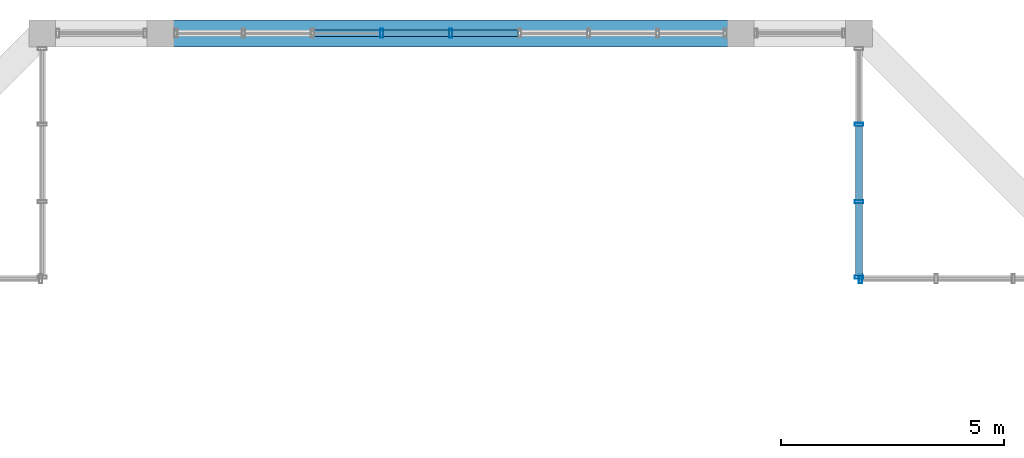
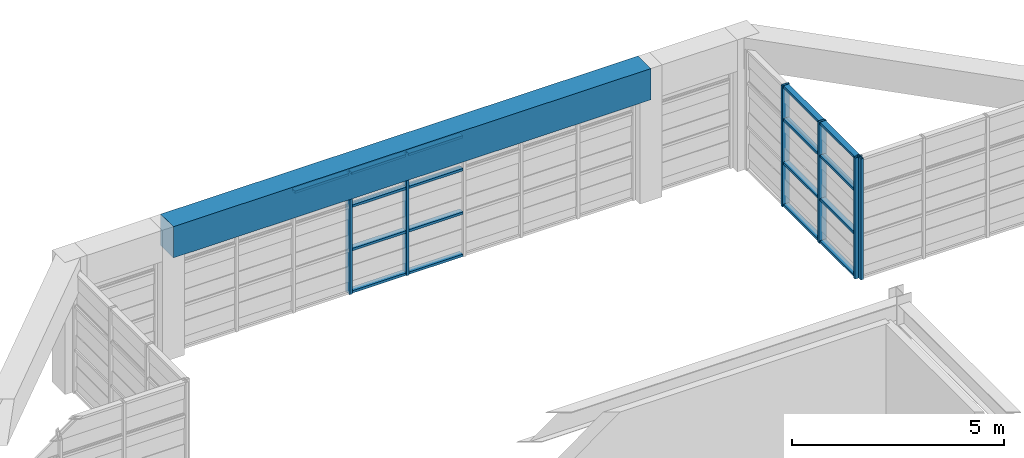
# One storey, part 18 of 27: 23 members, 1 beam, 3 elements without a shape of their own.
"""IFC4 building model written with IfcOpenShell, lengths in metres."""

from ifc_helpers import new_model, si_unit, direction, frame, origin, origin_2d, place, context, subcontext, project, spatial, rectangle, hollow_rectangle, extrude, source, transform, mapped, material, layer, layer_set, material_profile, profile_set, type_object, element, aggregate, save


model = new_model("IFC4")

# Units and contexts
model_context = context("Model", 3, precision=1e-05, world=origin(), true_north=direction((0.0, 1.0)))
body_context = subcontext(model_context, "Body", "Model", "MODEL_VIEW")
ifc_project = project(units=[si_unit("LENGTHUNIT", "METRE"), si_unit("AREAUNIT", "SQUARE_METRE"), si_unit("VOLUMEUNIT", "CUBIC_METRE"), si_unit("PLANEANGLEUNIT", "RADIAN"), si_unit("MASSUNIT", "GRAM", prefix="KILO")], contexts=[model_context])

# Site, building, storey
site_placement = place(None, origin())
site = spatial("IfcSite", under=ifc_project, at=site_placement, CompositionType="ELEMENT")
building_placement = place(site_placement, origin())
building = spatial("IfcBuilding", under=site, at=building_placement, Name="Saelheon Loggia Tower", CompositionType="ELEMENT")
storey_placement = place(building_placement, frame((0.0, 0.0, 263.60009765625)))
storey = spatial("IfcBuildingStorey", under=building, at=storey_placement, Name="CR4", CompositionType="ELEMENT", Elevation=263.60009765625)

# Beam
ifc_material_1 = material(Name="Precast Concrete C45/55", Category="concrete")
ifc_material_profile_1 = material_profile(ifc_material_1, rectangle(XDim=0.60009765625, YDim=0.89990234375, at=origin_2d()), Name="RC-600x900")
ifc_profile_set_1 = profile_set([ifc_material_profile_1], Name="Precast Concrete C45/55")
beam_type = type_object("IfcBeamType", Name="CrownFrame_Ring_RC600x900", PredefinedType="BEAM", material=ifc_profile_set_1)
shared_shape_1 = source(origin(), body_context, "Body", "SweptSolid", [
    extrude(rectangle(XDim=0.60009765625, YDim=0.89990234375, at=origin_2d()), origin(), (0.0, 0.0, 1.0), 13.0),
])
beam_placement = place(storey_placement, frame((44.5, 47.64990234375, 3.349853515625), z_axis=(-1.0, 0.0, 0.0), x_axis=(0.0, -1.0, 0.0)))
element("IfcBeam", 1, at=beam_placement, inside=storey, type_object=beam_type, Name="CR4 CROWN FRAME Ring Beam 10", PredefinedType="BEAM", context=body_context, shape_type="MappedRepresentation", body=[
    mapped(shared_shape_1, transform((0.0, 0.0, 0.0), scale=1.0)),
])

# Curtain wall, member
ifc_material_2 = material(Name="Bronze-Anodised Aluminium and Fritted Ceramic Screen", Category="aluminium")
ifc_layer = layer(ifc_material_2, 0.219970703125)
ifc_layer_set = layer_set([ifc_layer], Name="Bronze-Anodised Aluminium and Fritted Ceramic Screen")
curtain_wall_type = type_object("IfcCurtainWallType", Name="CW_CrownScreen", PredefinedType="NOTDEFINED", material=ifc_layer_set)
curtain_wall_1_placement = place(storey_placement, origin())
curtain_wall_1 = element("IfcCurtainWall", 2, at=curtain_wall_1_placement, inside=storey, type_object=curtain_wall_type, Name="CR4 Crown Screen Curtain Wall 4-1", PredefinedType="NOTDEFINED")
ifc_material_3 = material(Name="Bronze-Anodised Aluminium 6063-T6", Category="aluminium")
ifc_material_profile_2 = material_profile(ifc_material_3, hollow_rectangle(XDim=0.070068359375, YDim=0.199951171875, WallThickness=0.0048828125, at=origin_2d()), Name="RHS-200x70x5")
ifc_profile_set_2 = profile_set([ifc_material_profile_2], Name="Bronze-Anodised Aluminium 6063-T6")
member_type_1 = type_object("IfcMemberType", Name="CW_CrownScreen_Mullion", PredefinedType="MULLION", material=ifc_profile_set_2)
shared_shape_2 = source(origin(), body_context, "Body", "SweptSolid", [
    extrude(hollow_rectangle(XDim=0.070068359375, YDim=0.199951171875, WallThickness=0.0048828125, at=origin_2d()), origin(), (0.0, 0.0, 1.0), 3.47998046875),
])
member_1_placement = place(storey_placement, frame((47.18505859375, 42.14990234375, 0.0), z_axis=(0.0, 0.0, 1.0), x_axis=(-1.0, 0.0, 0.0)))
member_1 = element("IfcMember", 3, at=member_1_placement, type_object=member_type_1, Name="CW6 mullion 4", PredefinedType="MULLION", context=body_context, shape_type="MappedRepresentation", body=[
    mapped(shared_shape_2, transform((0.0, 0.0, 0.0), scale=1.0)),
])
aggregate(curtain_wall_1, [member_1])

# Curtain wall, members
curtain_wall_2_placement = place(storey_placement, origin())
curtain_wall_2 = element("IfcCurtainWall", 4, at=curtain_wall_2_placement, inside=storey, type_object=curtain_wall_type, Name="CR4 Crown Screen Curtain Wall 5-1", PredefinedType="NOTDEFINED")
member_2_placement = place(storey_placement, frame((47.14990234375, 42.18505859375, 0.0), z_axis=(0.0, 0.0, 1.0), x_axis=(0.0, 1.0, 0.0)))
member_2 = element("IfcMember", 5, at=member_2_placement, type_object=member_type_1, Name="CW6 mullion 1", PredefinedType="MULLION", context=body_context, shape_type="MappedRepresentation", body=[
    mapped(shared_shape_2, transform((0.0, 0.0, 0.0), scale=1.0)),
])
member_3_placement = place(storey_placement, frame((47.14990234375, 43.8798828125, 0.0), z_axis=(0.0, 0.0, 1.0), x_axis=(0.0, 1.0, 0.0)))
member_3 = element("IfcMember", 6, at=member_3_placement, type_object=member_type_1, Name="CW6 mullion 2", PredefinedType="MULLION", context=body_context, shape_type="MappedRepresentation", body=[
    mapped(shared_shape_2, transform((0.0, 0.0, 0.0), scale=1.0)),
])
member_4_placement = place(storey_placement, frame((47.14990234375, 45.610107421875, 0.0), z_axis=(0.0, 0.0, 1.0), x_axis=(0.0, 1.0, 0.0)))
member_4 = element("IfcMember", 7, at=member_4_placement, type_object=member_type_1, Name="CW6 mullion 3", PredefinedType="MULLION", context=body_context, shape_type="MappedRepresentation", body=[
    mapped(shared_shape_2, transform((0.0, 0.0, 0.0), scale=1.0)),
])

curtain_wall_3_placement = place(storey_placement, origin())
curtain_wall_3 = element("IfcCurtainWall", 8, at=curtain_wall_3_placement, inside=storey, type_object=curtain_wall_type, Name="CR4 Crown Screen Curtain Wall 6-2", PredefinedType="NOTDEFINED")
member_5_placement = place(storey_placement, frame((38.0, 47.64990234375, 0.0), z_axis=(0.0, 0.0, 1.0), x_axis=(-1.0, 0.0, 0.0)))
member_5 = element("IfcMember", 9, at=member_5_placement, type_object=member_type_1, Name="CW6 mullion 5", PredefinedType="MULLION", context=body_context, shape_type="MappedRepresentation", body=[
    mapped(shared_shape_2, transform((0.0, 0.0, 0.0), scale=1.0)),
])
member_6_placement = place(storey_placement, frame((36.452392578125, 47.64990234375, 0.0), z_axis=(0.0, 0.0, 1.0), x_axis=(-1.0, 0.0, 0.0)))
member_6 = element("IfcMember", 10, at=member_6_placement, type_object=member_type_1, Name="CW6 mullion 6", PredefinedType="MULLION", context=body_context, shape_type="MappedRepresentation", body=[
    mapped(shared_shape_2, transform((0.0, 0.0, 0.0), scale=1.0)),
])
ifc_material_profile_3 = material_profile(ifc_material_3, hollow_rectangle(XDim=0.070068359375, YDim=0.14990234375, WallThickness=0.0048828125, at=origin_2d()), Name="RHS-150x70x5")
ifc_profile_set_3 = profile_set([ifc_material_profile_3], Name="Bronze-Anodised Aluminium 6063-T6")
member_type_2 = type_object("IfcMemberType", Name="CW_CrownScreen_Transom", PredefinedType="USERDEFINED", material=ifc_profile_set_3)
shared_shape_3 = source(origin(), body_context, "Body", "SweptSolid", [
    extrude(hollow_rectangle(XDim=0.070068359375, YDim=0.14990234375, WallThickness=0.0048828125, at=origin_2d()), origin(), (0.0, 0.0, 1.0), 1.4775390625),
])
member_7_placement = place(storey_placement, frame((39.512451171875, 47.64990234375, 0.034912109375), z_axis=(-1.0, 0.0, 0.0), x_axis=(0.0, 0.0, 1.0)))
member_7 = element("IfcMember", 11, at=member_7_placement, type_object=member_type_2, Name="CW6 transom 4.1", ObjectType="TRANSOM", PredefinedType="USERDEFINED", context=body_context, shape_type="MappedRepresentation", body=[
    mapped(shared_shape_3, transform((0.0, 0.0, 0.0), scale=1.0)),
])
member_8_placement = place(storey_placement, frame((39.512451171875, 47.64990234375, 1.25), z_axis=(-1.0, 0.0, 0.0), x_axis=(0.0, 0.0, 1.0)))
member_8 = element("IfcMember", 12, at=member_8_placement, type_object=member_type_2, Name="CW6 transom 4.2", ObjectType="TRANSOM", PredefinedType="USERDEFINED", context=body_context, shape_type="MappedRepresentation", body=[
    mapped(shared_shape_3, transform((0.0, 0.0, 0.0), scale=1.0)),
])
member_9_placement = place(storey_placement, frame((39.512451171875, 47.64990234375, 2.5), z_axis=(-1.0, 0.0, 0.0), x_axis=(0.0, 0.0, 1.0)))
member_9 = element("IfcMember", 13, at=member_9_placement, type_object=member_type_2, Name="CW6 transom 4.3", ObjectType="TRANSOM", PredefinedType="USERDEFINED", context=body_context, shape_type="MappedRepresentation", body=[
    mapped(shared_shape_3, transform((0.0, 0.0, 0.0), scale=1.0)),
])
member_10_placement = place(storey_placement, frame((39.512451171875, 47.64990234375, 3.44482421875), z_axis=(-1.0, 0.0, 0.0), x_axis=(0.0, 0.0, 1.0)))
member_10 = element("IfcMember", 14, at=member_10_placement, type_object=member_type_2, Name="CW6 transom 4.4", ObjectType="TRANSOM", PredefinedType="USERDEFINED", context=body_context, shape_type="MappedRepresentation", body=[
    mapped(shared_shape_3, transform((0.0, 0.0, 0.0), scale=1.0)),
])
member_11_placement = place(storey_placement, frame((37.965087890625, 47.64990234375, 0.034912109375), z_axis=(-1.0, 0.0, 0.0), x_axis=(0.0, 0.0, 1.0)))
member_11 = element("IfcMember", 15, at=member_11_placement, type_object=member_type_2, Name="CW6 transom 5.1", ObjectType="TRANSOM", PredefinedType="USERDEFINED", context=body_context, shape_type="MappedRepresentation", body=[
    mapped(shared_shape_3, transform((0.0, 0.0, 0.0), scale=1.0)),
])
member_12_placement = place(storey_placement, frame((37.965087890625, 47.64990234375, 1.25), z_axis=(-1.0, 0.0, 0.0), x_axis=(0.0, 0.0, 1.0)))
member_12 = element("IfcMember", 16, at=member_12_placement, type_object=member_type_2, Name="CW6 transom 5.2", ObjectType="TRANSOM", PredefinedType="USERDEFINED", context=body_context, shape_type="MappedRepresentation", body=[
    mapped(shared_shape_3, transform((0.0, 0.0, 0.0), scale=1.0)),
])
member_13_placement = place(storey_placement, frame((37.965087890625, 47.64990234375, 2.5), z_axis=(-1.0, 0.0, 0.0), x_axis=(0.0, 0.0, 1.0)))
member_13 = element("IfcMember", 17, at=member_13_placement, type_object=member_type_2, Name="CW6 transom 5.3", ObjectType="TRANSOM", PredefinedType="USERDEFINED", context=body_context, shape_type="MappedRepresentation", body=[
    mapped(shared_shape_3, transform((0.0, 0.0, 0.0), scale=1.0)),
])
member_14_placement = place(storey_placement, frame((37.965087890625, 47.64990234375, 3.44482421875), z_axis=(-1.0, 0.0, 0.0), x_axis=(0.0, 0.0, 1.0)))
member_14 = element("IfcMember", 18, at=member_14_placement, type_object=member_type_2, Name="CW6 transom 5.4", ObjectType="TRANSOM", PredefinedType="USERDEFINED", context=body_context, shape_type="MappedRepresentation", body=[
    mapped(shared_shape_3, transform((0.0, 0.0, 0.0), scale=1.0)),
])
member_15_placement = place(storey_placement, frame((36.41748046875, 47.64990234375, 3.44482421875), z_axis=(-1.0, 0.0, 0.0), x_axis=(0.0, 0.0, 1.0)))
member_15 = element("IfcMember", 19, at=member_15_placement, type_object=member_type_2, Name="CW6 transom 6.4", ObjectType="TRANSOM", PredefinedType="USERDEFINED", context=body_context, shape_type="MappedRepresentation", body=[
    mapped(shared_shape_3, transform((0.0, 0.0, 0.0), scale=1.0)),
])
aggregate(curtain_wall_3, [member_5, member_6, member_7, member_8, member_9, member_10, member_11, member_12, member_13, member_14, member_15])

# Member
shared_shape_4 = source(origin(), body_context, "Body", "SweptSolid", [
    extrude(hollow_rectangle(XDim=0.070068359375, YDim=0.14990234375, WallThickness=0.0048828125, at=origin_2d()), origin(), (0.0, 0.0, 1.0), 1.625),
])
member_16_placement = place(storey_placement, frame((47.14990234375, 42.219970703125, 0.034912109375), z_axis=(0.0, 1.0, 0.0), x_axis=(0.0, 0.0, 1.0)))
member_16 = element("IfcMember", 20, at=member_16_placement, type_object=member_type_2, Name="CW6 transom 1.1", ObjectType="TRANSOM", PredefinedType="USERDEFINED", context=body_context, shape_type="MappedRepresentation", body=[
    mapped(shared_shape_4, transform((0.0, 0.0, 0.0), scale=1.0)),
])

member_17_placement = place(storey_placement, frame((47.14990234375, 42.219970703125, 1.25), z_axis=(0.0, 1.0, 0.0), x_axis=(0.0, 0.0, 1.0)))
member_17 = element("IfcMember", 21, at=member_17_placement, type_object=member_type_2, Name="CW6 transom 1.2", ObjectType="TRANSOM", PredefinedType="USERDEFINED", context=body_context, shape_type="MappedRepresentation", body=[
    mapped(shared_shape_4, transform((0.0, 0.0, 0.0), scale=1.0)),
])

member_18_placement = place(storey_placement, frame((47.14990234375, 42.219970703125, 2.5), z_axis=(0.0, 1.0, 0.0), x_axis=(0.0, 0.0, 1.0)))
member_18 = element("IfcMember", 22, at=member_18_placement, type_object=member_type_2, Name="CW6 transom 1.3", ObjectType="TRANSOM", PredefinedType="USERDEFINED", context=body_context, shape_type="MappedRepresentation", body=[
    mapped(shared_shape_4, transform((0.0, 0.0, 0.0), scale=1.0)),
])

member_19_placement = place(storey_placement, frame((47.14990234375, 42.219970703125, 3.44482421875), z_axis=(0.0, 1.0, 0.0), x_axis=(0.0, 0.0, 1.0)))
member_19 = element("IfcMember", 23, at=member_19_placement, type_object=member_type_2, Name="CW6 transom 1.4", ObjectType="TRANSOM", PredefinedType="USERDEFINED", context=body_context, shape_type="MappedRepresentation", body=[
    mapped(shared_shape_4, transform((0.0, 0.0, 0.0), scale=1.0)),
])

shared_shape_5 = source(origin(), body_context, "Body", "SweptSolid", [
    extrude(hollow_rectangle(XDim=0.070068359375, YDim=0.14990234375, WallThickness=0.0048828125, at=origin_2d()), origin(), (0.0, 0.0, 1.0), 1.659912109375),
])
member_20_placement = place(storey_placement, frame((47.14990234375, 43.9150390625, 0.034912109375), z_axis=(0.0, 1.0, 0.0), x_axis=(0.0, 0.0, 1.0)))
member_20 = element("IfcMember", 24, at=member_20_placement, type_object=member_type_2, Name="CW6 transom 2.1", ObjectType="TRANSOM", PredefinedType="USERDEFINED", context=body_context, shape_type="MappedRepresentation", body=[
    mapped(shared_shape_5, transform((0.0, 0.0, 0.0), scale=1.0)),
])

member_21_placement = place(storey_placement, frame((47.14990234375, 43.9150390625, 1.25), z_axis=(0.0, 1.0, 0.0), x_axis=(0.0, 0.0, 1.0)))
member_21 = element("IfcMember", 25, at=member_21_placement, type_object=member_type_2, Name="CW6 transom 2.2", ObjectType="TRANSOM", PredefinedType="USERDEFINED", context=body_context, shape_type="MappedRepresentation", body=[
    mapped(shared_shape_5, transform((0.0, 0.0, 0.0), scale=1.0)),
])

member_22_placement = place(storey_placement, frame((47.14990234375, 43.9150390625, 2.5), z_axis=(0.0, 1.0, 0.0), x_axis=(0.0, 0.0, 1.0)))
member_22 = element("IfcMember", 26, at=member_22_placement, type_object=member_type_2, Name="CW6 transom 2.3", ObjectType="TRANSOM", PredefinedType="USERDEFINED", context=body_context, shape_type="MappedRepresentation", body=[
    mapped(shared_shape_5, transform((0.0, 0.0, 0.0), scale=1.0)),
])

member_23_placement = place(storey_placement, frame((47.14990234375, 43.9150390625, 3.44482421875), z_axis=(0.0, 1.0, 0.0), x_axis=(0.0, 0.0, 1.0)))
member_23 = element("IfcMember", 27, at=member_23_placement, type_object=member_type_2, Name="CW6 transom 2.4", ObjectType="TRANSOM", PredefinedType="USERDEFINED", context=body_context, shape_type="MappedRepresentation", body=[
    mapped(shared_shape_5, transform((0.0, 0.0, 0.0), scale=1.0)),
])

aggregate(curtain_wall_2, [member_2, member_3, member_4, member_16, member_17, member_18, member_19, member_20, member_21, member_22, member_23])

save(model, "model.ifc")
